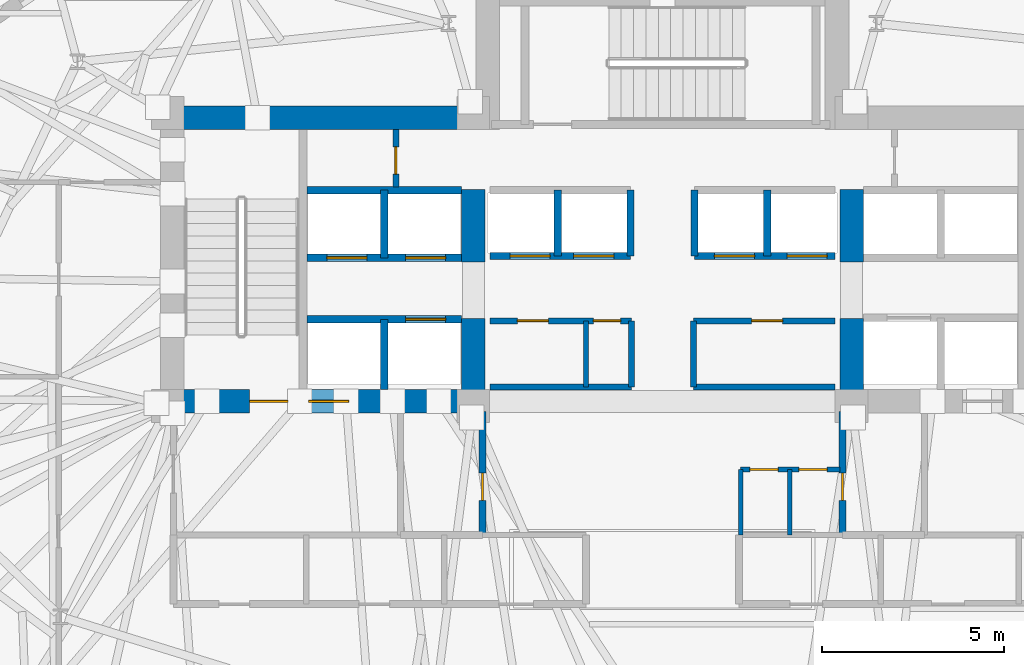
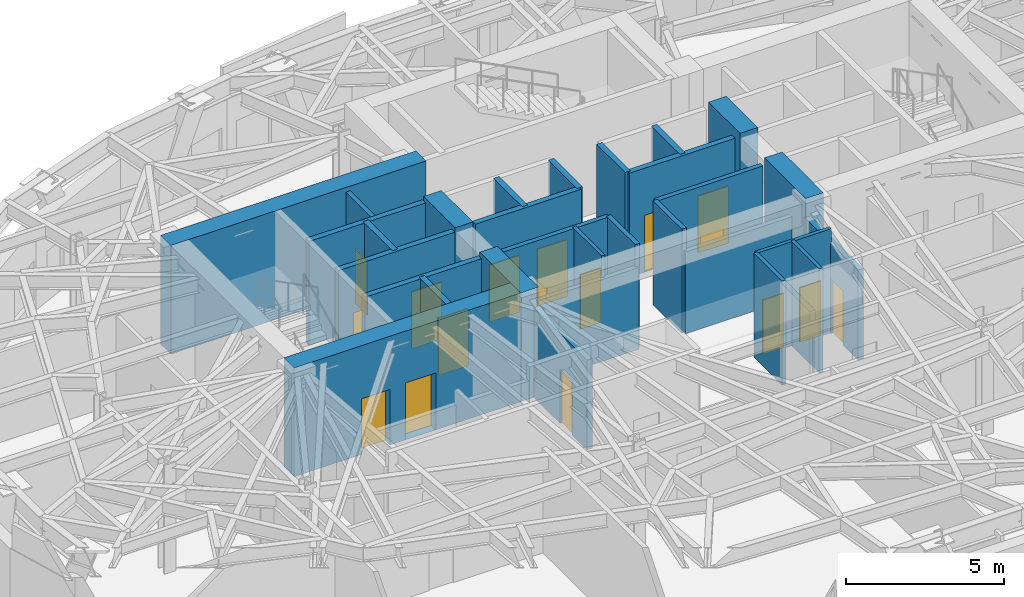
# One storey, part 9 of 16: 30 walls, 17 doors, 17 openings.
"""IFC4 building model written with IfcOpenShell, lengths in metres."""

from ifc_helpers import new_model, si_unit, direction, frame, frame_2d, origin, place, context, subcontext, project, spatial, rectangle, extrude, material, layer, layer_set, type_object, element, fill, save


model = new_model("IFC4")

# Units and contexts
model_context = context("Model", 3, precision=1e-05, world=origin(), true_north=direction((0.0, 1.0)))
body_context = subcontext(model_context, "Body", "Model", "MODEL_VIEW")
ifc_project = project(units=[si_unit("LENGTHUNIT", "METRE"), si_unit("AREAUNIT", "SQUARE_METRE"), si_unit("VOLUMEUNIT", "CUBIC_METRE"), si_unit("PLANEANGLEUNIT", "RADIAN"), si_unit("MASSUNIT", "GRAM", prefix="KILO")], contexts=[model_context])

# Site, building, storey
site_placement = place(None, origin())
site = spatial("IfcSite", under=ifc_project, at=site_placement, CompositionType="ELEMENT")
building_placement = place(site_placement, origin())
building = spatial("IfcBuilding", under=site, at=building_placement, Name="Keldmark Tower", CompositionType="ELEMENT")
storey_placement = place(building_placement, frame((0.0, 0.0, 139.60009765625)))
storey = spatial("IfcBuildingStorey", under=building, at=storey_placement, Name="L37", CompositionType="ELEMENT", Elevation=139.60009765625)

# Wall, openings, doors
ifc_material_1 = material(Name="Acoustic Gypsum Board Interior Partition", Category="gypsum")
ifc_layer_1 = layer(ifc_material_1, 0.1298828125)
ifc_layer_set_1 = layer_set([ifc_layer_1], Name="Acoustic Gypsum Board Interior Partition")
wall_type_1 = type_object("IfcWallType", Name="Interior Partition 130 mm", PredefinedType="PARTITIONING", material=ifc_layer_set_1)
wall_1_placement = place(storey_placement, frame((2.14990234375, -0.35009765625, 0.0), z_axis=(0.0, 0.0, 1.0), x_axis=(1.0, 0.0, 0.0)))
wall_1 = element("IfcWall", 1, at=wall_1_placement, inside=storey, type_object=wall_type_1, Name="L37 Interior Partition 130 mm CSC-E-N", PredefinedType="PARTITIONING", context=body_context, shape_type="SweptSolid", body=[
    extrude(rectangle(XDim=2.72998046875, YDim=0.1298828125, at=frame_2d((1.364990234375, 0.0))), origin(), (0.0, 0.0, 1.0), 4.02001953125),
])
opening_1_placement = place(wall_1_placement, frame((0.25, 0.0, 0.0)))
opening_1 = element("IfcOpeningElement", 2, at=opening_1_placement, cuts=wall_1, Name="Opening D-CL078", PredefinedType="OPENING", context=body_context, shape_type="SweptSolid", body=[
    extrude(rectangle(XDim=0.780029296875, YDim=2.10009765625, at=frame_2d((0.39013671875, 1.050048828125))), frame((0.0, 0.074951171875, 0.0), z_axis=(0.0, -1.0, 0.0), x_axis=(1.0, 0.0, 0.0)), (0.0, 0.0, 1.0), 0.14990234375),
])
opening_2_placement = place(wall_1_placement, frame((1.60009765625, 0.0, 0.0)))
opening_2 = element("IfcOpeningElement", 3, at=opening_2_placement, cuts=wall_1, Name="Opening D-CL078", PredefinedType="OPENING", context=body_context, shape_type="SweptSolid", body=[
    extrude(rectangle(XDim=0.780029296875, YDim=2.10009765625, at=frame_2d((0.39013671875, 1.050048828125))), frame((0.0, 0.074951171875, 0.0), z_axis=(0.0, -1.0, 0.0), x_axis=(1.0, 0.0, 0.0)), (0.0, 0.0, 1.0), 0.14990234375),
])
ifc_material_2 = material(Name="Flush Utility Closet Timber Door", Category="wood")
door_type_1 = type_object("IfcDoorType", Name="Closet Door 780x2100", OperationType="NOTDEFINED", PredefinedType="DOOR", material=ifc_material_2)
door_1_placement = place(opening_1_placement, origin())
door_1 = element("IfcDoor", 4, at=door_1_placement, inside=storey, type_object=door_type_1, Name="L37 Closet Door 780x2100 D-CSCE1-L37", OperationType="SINGLE_SWING_LEFT", OverallHeight=2.10009765625, OverallWidth=0.780029296875, PredefinedType="DOOR", context=body_context, shape_type="SweptSolid", body=[
    extrude(rectangle(XDim=0.780029296875, YDim=2.10009765625, at=frame_2d((0.39013671875, 1.050048828125))), frame((0.0, 0.02490234375, 0.0), z_axis=(0.0, -1.0, 0.0), x_axis=(1.0, 0.0, 0.0)), (0.0, 0.0, 1.0), 0.050048828125),
])
fill(opening_1, door_1)
door_2_placement = place(opening_2_placement, origin())
door_2 = element("IfcDoor", 5, at=door_2_placement, inside=storey, type_object=door_type_1, Name="L37 Closet Door 780x2100 D-CSCE2-L37", OperationType="SINGLE_SWING_RIGHT", OverallHeight=2.10009765625, OverallWidth=0.780029296875, PredefinedType="DOOR", context=body_context, shape_type="SweptSolid", body=[
    extrude(rectangle(XDim=0.780029296875, YDim=2.10009765625, at=frame_2d((0.39013671875, 1.050048828125))), frame((0.0, 0.02490234375, 0.0), z_axis=(0.0, -1.0, 0.0), x_axis=(1.0, 0.0, 0.0)), (0.0, 0.0, 1.0), 0.050048828125),
])
fill(opening_2, door_2)

# Walls
for number, where, z_axis, x_axis, name in (
    (6, (2.14990234375, -2.14990234375, 0.0), (0.0, 0.0, 1.0), (0.0, 1.0, 0.0), "L37 Interior Partition 130 mm CSC-E-W"),
    (7, (3.5, -2.14990234375, 0.0), (0.0, 0.0, 1.0), (0.0, 1.0, 0.0), "L37 Interior Partition 130 mm CSC-E-M"),
):
    element("IfcWall", number, at=place(storey_placement, frame(where, z_axis=z_axis, x_axis=x_axis)), inside=storey, type_object=wall_type_1, Name=name, PredefinedType="PARTITIONING", context=body_context, shape_type="SweptSolid", body=[
        extrude(rectangle(XDim=1.7998046875, YDim=0.1298828125, at=frame_2d((0.89990234375, 0.0))), origin(), (0.0, 0.0, 1.0), 4.02001953125),
    ])
wall_2_placement = place(storey_placement, frame((-2.10009765625, 1.919921875, 0.0), z_axis=(0.0, 0.0, 1.0), x_axis=(0.0, 1.0, 0.0)))
element("IfcWall", 8, at=wall_2_placement, inside=storey, type_object=wall_type_1, Name="L37 Interior Partition 130 mm REC-LW-M", PredefinedType="PARTITIONING", context=body_context, shape_type="SweptSolid", body=[
    extrude(rectangle(XDim=1.820068359375, YDim=0.1298828125, at=frame_2d((0.91015625, 0.0))), origin(), (0.0, 0.0, 1.0), 4.02001953125),
])
ifc_material_3 = material(Name="Type X Fire-Rated Gypsum Partition Assembly", Category="gypsum")
ifc_layer_2 = layer(ifc_material_3, 0.1650390625)
ifc_layer_set_2 = layer_set([ifc_layer_2], Name="Type X Fire-Rated Gypsum Partition Assembly")
wall_type_2 = type_object("IfcWallType", Name="Rated Partition 165 mm", PredefinedType="PARTITIONING", material=ifc_layer_set_2)
wall_3_placement = place(storey_placement, frame((-4.739990234375, 1.919921875, 0.0), z_axis=(0.0, 0.0, 1.0), x_axis=(1.0, 0.0, 0.0)))
element("IfcWall", 9, at=wall_3_placement, inside=storey, type_object=wall_type_2, Name="L37 Rated Partition 165 mm REC-LW-S", PredefinedType="PARTITIONING", context=body_context, shape_type="SweptSolid", body=[
    extrude(rectangle(XDim=3.889892578125, YDim=0.1650390625, at=frame_2d((1.94482421875, 0.0))), origin(), (0.0, 0.0, 1.0), 3.159912109375),
])

# Wall, openings, doors
wall_4_placement = place(storey_placement, frame((-4.739990234375, 3.739990234375, 0.0), z_axis=(0.0, 0.0, 1.0), x_axis=(1.0, 0.0, 0.0)))
wall_4 = element("IfcWall", 10, at=wall_4_placement, inside=storey, type_object=wall_type_2, Name="L37 Rated Partition 165 mm REC-LW-N", PredefinedType="PARTITIONING", context=body_context, shape_type="SweptSolid", body=[
    extrude(rectangle(XDim=3.889892578125, YDim=0.1650390625, at=frame_2d((1.94482421875, 0.0))), origin(), (0.0, 0.0, 1.0), 4.02001953125),
])
opening_3_placement = place(wall_4_placement, frame((0.75, 0.0, 0.0)))
opening_3 = element("IfcOpeningElement", 11, at=opening_3_placement, cuts=wall_4, Name="Opening D-SV085", PredefinedType="OPENING", context=body_context, shape_type="SweptSolid", body=[
    extrude(rectangle(XDim=0.85009765625, YDim=2.10009765625, at=frame_2d((0.425048828125, 1.050048828125))), frame((0.0, 0.092529296875, 0.0), z_axis=(0.0, -1.0, 0.0), x_axis=(1.0, 0.0, 0.0)), (0.0, 0.0, 1.0), 0.18505859375),
])
opening_4_placement = place(wall_4_placement, frame((2.840087890625, 0.0, 0.0)))
opening_4 = element("IfcOpeningElement", 12, at=opening_4_placement, cuts=wall_4, Name="Opening D-RS075", PredefinedType="OPENING", context=body_context, shape_type="SweptSolid", body=[
    extrude(rectangle(XDim=0.75, YDim=2.10009765625, at=frame_2d((0.375, 1.050048828125))), frame((0.0, 0.092529296875, 0.0), z_axis=(0.0, -1.0, 0.0), x_axis=(1.0, 0.0, 0.0)), (0.0, 0.0, 1.0), 0.18505859375),
])
ifc_material_4 = material(Name="Galvanized Fire-Rated Access Leaf", Category="metal")
door_type_2 = type_object("IfcDoorType", Name="Riser Access Door 750x2100", OperationType="NOTDEFINED", PredefinedType="DOOR", material=ifc_material_4)
door_3_placement = place(opening_4_placement, origin())
door_3 = element("IfcDoor", 13, at=door_3_placement, inside=storey, type_object=door_type_2, Name="L37 Riser Access Door 750x2100 D-RECLW2-L37", OperationType="SINGLE_SWING_RIGHT", OverallHeight=2.10009765625, OverallWidth=0.75, PredefinedType="DOOR", context=body_context, shape_type="SweptSolid", body=[
    extrude(rectangle(XDim=0.75, YDim=2.10009765625, at=frame_2d((0.375, 1.050048828125))), frame((0.0, 0.02490234375, 0.0), z_axis=(0.0, -1.0, 0.0), x_axis=(1.0, 0.0, 0.0)), (0.0, 0.0, 1.0), 0.050048828125),
])
fill(opening_4, door_3)
ifc_material_5 = material(Name="Painted Hollow Metal Door Assembly", Category="metal")
door_type_3 = type_object("IfcDoorType", Name="Service Door 850x2100", OperationType="NOTDEFINED", PredefinedType="DOOR", material=ifc_material_5)
door_4_placement = place(opening_3_placement, origin())
door_4 = element("IfcDoor", 14, at=door_4_placement, inside=storey, type_object=door_type_3, Name="L37 Service Door 850x2100 D-RECLW1-L37", OperationType="SINGLE_SWING_LEFT", OverallHeight=2.10009765625, OverallWidth=0.85009765625, PredefinedType="DOOR", context=body_context, shape_type="SweptSolid", body=[
    extrude(rectangle(XDim=0.85009765625, YDim=2.10009765625, at=frame_2d((0.425048828125, 1.050048828125))), frame((0.0, 0.02490234375, 0.0), z_axis=(0.0, -1.0, 0.0), x_axis=(1.0, 0.0, 0.0)), (0.0, 0.0, 1.0), 0.050048828125),
])
fill(opening_3, door_4)

# Walls
wall_5_placement = place(storey_placement, frame((-0.85009765625, 1.919921875, 0.0), z_axis=(0.0, 0.0, 1.0), x_axis=(0.0, 1.0, 0.0)))
element("IfcWall", 15, at=wall_5_placement, inside=storey, type_object=wall_type_2, Name="L37 Rated Partition 165 mm REC-LW-E", PredefinedType="PARTITIONING", context=body_context, shape_type="SweptSolid", body=[
    extrude(rectangle(XDim=1.820068359375, YDim=0.1650390625, at=frame_2d((0.91015625, 0.0))), origin(), (0.0, 0.0, 1.0), 4.02001953125),
])
wall_6_placement = place(storey_placement, frame((0.85009765625, 1.919921875, 0.0), z_axis=(0.0, 0.0, 1.0), x_axis=(1.0, 0.0, 0.0)))
element("IfcWall", 16, at=wall_6_placement, inside=storey, type_object=wall_type_2, Name="L37 Rated Partition 165 mm REC-LE-S", PredefinedType="PARTITIONING", context=body_context, shape_type="SweptSolid", body=[
    extrude(rectangle(XDim=3.889892578125, YDim=0.1650390625, at=frame_2d((1.94482421875, 0.0))), origin(), (0.0, 0.0, 1.0), 3.159912109375),
])

# Wall, opening, door
wall_7_placement = place(storey_placement, frame((0.85009765625, 3.739990234375, 0.0), z_axis=(0.0, 0.0, 1.0), x_axis=(1.0, 0.0, 0.0)))
wall_7 = element("IfcWall", 17, at=wall_7_placement, inside=storey, type_object=wall_type_2, Name="L37 Rated Partition 165 mm REC-LE-N", PredefinedType="PARTITIONING", context=body_context, shape_type="SweptSolid", body=[
    extrude(rectangle(XDim=3.889892578125, YDim=0.1650390625, at=frame_2d((1.94482421875, 0.0))), origin(), (0.0, 0.0, 1.0), 4.02001953125),
])
opening_5_placement = place(wall_7_placement, frame((1.60009765625, 0.0, 0.0)))
opening_5 = element("IfcOpeningElement", 18, at=opening_5_placement, cuts=wall_7, Name="Opening D-SV085", PredefinedType="OPENING", context=body_context, shape_type="SweptSolid", body=[
    extrude(rectangle(XDim=0.85009765625, YDim=2.10009765625, at=frame_2d((0.425048828125, 1.050048828125))), frame((0.0, 0.092529296875, 0.0), z_axis=(0.0, -1.0, 0.0), x_axis=(1.0, 0.0, 0.0)), (0.0, 0.0, 1.0), 0.18505859375),
])
door_5_placement = place(opening_5_placement, origin())
door_5 = element("IfcDoor", 19, at=door_5_placement, inside=storey, type_object=door_type_3, Name="L37 Service Door 850x2100 D-RECLE1-L37", OperationType="SINGLE_SWING_LEFT", OverallHeight=2.10009765625, OverallWidth=0.85009765625, PredefinedType="DOOR", context=body_context, shape_type="SweptSolid", body=[
    extrude(rectangle(XDim=0.85009765625, YDim=2.10009765625, at=frame_2d((0.425048828125, 1.050048828125))), frame((0.0, 0.02490234375, 0.0), z_axis=(0.0, -1.0, 0.0), x_axis=(1.0, 0.0, 0.0)), (0.0, 0.0, 1.0), 0.050048828125),
])
fill(opening_5, door_5)

# Wall
wall_8_placement = place(storey_placement, frame((0.85009765625, 1.919921875, 0.0), z_axis=(0.0, 0.0, 1.0), x_axis=(0.0, 1.0, 0.0)))
element("IfcWall", 20, at=wall_8_placement, inside=storey, type_object=wall_type_2, Name="L37 Rated Partition 165 mm REC-LE-W", PredefinedType="PARTITIONING", context=body_context, shape_type="SweptSolid", body=[
    extrude(rectangle(XDim=1.820068359375, YDim=0.1650390625, at=frame_2d((0.91015625, 0.0))), origin(), (0.0, 0.0, 1.0), 4.02001953125),
])

# Wall, opening, door
wall_9_placement = place(storey_placement, frame((-7.330078125, 7.419921875, 0.0), z_axis=(0.0, 0.0, 1.0), x_axis=(0.0, 1.0, 0.0)))
wall_9 = element("IfcWall", 21, at=wall_9_placement, inside=storey, type_object=wall_type_2, Name="L37 Rated Partition 165 mm CS-NW-E", PredefinedType="PARTITIONING", context=body_context, shape_type="SweptSolid", body=[
    extrude(rectangle(XDim=1.580078125, YDim=0.1650390625, at=frame_2d((0.7900390625, 0.0))), origin(), (0.0, 0.0, 1.0), 4.02001953125),
])
opening_6_placement = place(wall_9_placement, frame((0.35009765625, 0.0, 0.0)))
opening_6 = element("IfcOpeningElement", 22, at=opening_6_placement, cuts=wall_9, Name="Opening D-RS075", PredefinedType="OPENING", context=body_context, shape_type="SweptSolid", body=[
    extrude(rectangle(XDim=0.75, YDim=2.10009765625, at=frame_2d((0.375, 1.050048828125))), frame((0.0, 0.092529296875, 0.0), z_axis=(0.0, -1.0, 0.0), x_axis=(1.0, 0.0, 0.0)), (0.0, 0.0, 1.0), 0.18505859375),
])
door_6_placement = place(opening_6_placement, origin())
door_6 = element("IfcDoor", 23, at=door_6_placement, inside=storey, type_object=door_type_2, Name="L37 Riser Access Door 750x2100 D-CSNW1-L37", OperationType="SINGLE_SWING_RIGHT", OverallHeight=2.10009765625, OverallWidth=0.75, PredefinedType="DOOR", context=body_context, shape_type="SweptSolid", body=[
    extrude(rectangle(XDim=0.75, YDim=2.10009765625, at=frame_2d((0.375, 1.050048828125))), frame((0.0, 0.02490234375, 0.0), z_axis=(0.0, -1.0, 0.0), x_axis=(1.0, 0.0, 0.0)), (0.0, 0.0, 1.0), 0.050048828125),
])
fill(opening_6, door_6)

ifc_material_6 = material(Name="Fire-Resistant Type X Gypsum Shaftliner Coreboard", Category="gypsum")
ifc_layer_3 = layer(ifc_material_6, 0.199951171875)
ifc_layer_set_3 = layer_set([ifc_layer_3], Name="Fire-Resistant Type X Gypsum Shaftliner Coreboard")
wall_type_3 = type_object("IfcWallType", Name="Shaft Wall 200 mm", PredefinedType="SOLIDWALL", material=ifc_layer_set_3)
wall_10_placement = place(storey_placement, frame((-4.949951171875, -2.14990234375, 0.0), z_axis=(0.0, 0.0, 1.0), x_axis=(0.0, 1.0, 0.0)))
wall_10 = element("IfcWall", 24, at=wall_10_placement, inside=storey, type_object=wall_type_3, Name="L37 Shaft Wall 200 mm RIS-SW-E", PredefinedType="SOLIDWALL", context=body_context, shape_type="SweptSolid", body=[
    extrude(rectangle(XDim=3.39990234375, YDim=0.199951171875, at=frame_2d((1.699951171875, 0.0))), origin(), (0.0, 0.0, 1.0), 3.472900390625),
])
opening_7_placement = place(wall_10_placement, frame((0.949951171875, 0.0, 0.0)))
opening_7 = element("IfcOpeningElement", 25, at=opening_7_placement, cuts=wall_10, Name="Opening D-RS075", PredefinedType="OPENING", context=body_context, shape_type="SweptSolid", body=[
    extrude(rectangle(XDim=0.75, YDim=2.10009765625, at=frame_2d((0.375, 1.050048828125))), frame((0.0, 0.10986328125, 0.0), z_axis=(0.0, -1.0, 0.0), x_axis=(1.0, 0.0, 0.0)), (0.0, 0.0, 1.0), 0.219970703125),
])
door_7_placement = place(opening_7_placement, origin())
door_7 = element("IfcDoor", 26, at=door_7_placement, inside=storey, type_object=door_type_2, Name="L37 Riser Access Door 750x2100 D-RISSW-L37", OperationType="SINGLE_SWING_RIGHT", OverallHeight=2.10009765625, OverallWidth=0.75, PredefinedType="DOOR", context=body_context, shape_type="SweptSolid", body=[
    extrude(rectangle(XDim=0.75, YDim=2.10009765625, at=frame_2d((0.375, 1.050048828125))), frame((0.0, 0.02490234375, 0.0), z_axis=(0.0, -1.0, 0.0), x_axis=(1.0, 0.0, 0.0)), (0.0, 0.0, 1.0), 0.050048828125),
])
fill(opening_7, door_7)

wall_11_placement = place(storey_placement, frame((4.949951171875, -2.14990234375, 0.0), z_axis=(0.0, 0.0, 1.0), x_axis=(0.0, 1.0, 0.0)))
wall_11 = element("IfcWall", 27, at=wall_11_placement, inside=storey, type_object=wall_type_3, Name="L37 Shaft Wall 200 mm RIS-SE-W", PredefinedType="SOLIDWALL", context=body_context, shape_type="SweptSolid", body=[
    extrude(rectangle(XDim=3.39990234375, YDim=0.199951171875, at=frame_2d((1.699951171875, 0.0))), origin(), (0.0, 0.0, 1.0), 3.472900390625),
])
opening_8_placement = place(wall_11_placement, frame((0.949951171875, 0.0, 0.0)))
opening_8 = element("IfcOpeningElement", 28, at=opening_8_placement, cuts=wall_11, Name="Opening D-RS075", PredefinedType="OPENING", context=body_context, shape_type="SweptSolid", body=[
    extrude(rectangle(XDim=0.75, YDim=2.10009765625, at=frame_2d((0.375, 1.050048828125))), frame((0.0, 0.10986328125, 0.0), z_axis=(0.0, -1.0, 0.0), x_axis=(1.0, 0.0, 0.0)), (0.0, 0.0, 1.0), 0.219970703125),
])
door_8_placement = place(opening_8_placement, origin())
door_8 = element("IfcDoor", 29, at=door_8_placement, inside=storey, type_object=door_type_2, Name="L37 Riser Access Door 750x2100 D-RISSE-L37", OperationType="SINGLE_SWING_LEFT", OverallHeight=2.10009765625, OverallWidth=0.75, PredefinedType="DOOR", context=body_context, shape_type="SweptSolid", body=[
    extrude(rectangle(XDim=0.75, YDim=2.10009765625, at=frame_2d((0.375, 1.050048828125))), frame((0.0, 0.02490234375, 0.0), z_axis=(0.0, -1.0, 0.0), x_axis=(1.0, 0.0, 0.0)), (0.0, 0.0, 1.0), 0.050048828125),
])
fill(opening_8, door_8)

wall_12_placement = place(storey_placement, frame((-9.780029296875, 3.780029296875, 0.0), z_axis=(0.0, 0.0, 1.0), x_axis=(1.0, 0.0, 0.0)))
wall_12 = element("IfcWall", 30, at=wall_12_placement, inside=storey, type_object=wall_type_3, Name="L37 Shaft Wall 200 mm HW-W-S", PredefinedType="SOLIDWALL", context=body_context, shape_type="SweptSolid", body=[
    extrude(rectangle(XDim=4.255126953125, YDim=0.199951171875, at=frame_2d((2.12744140625, 0.0))), origin(), (0.0, 0.0, 1.0), 4.02001953125),
])
opening_9_placement = place(wall_12_placement, frame((2.719970703125, 0.0, 0.0)))
opening_9 = element("IfcOpeningElement", 31, at=opening_9_placement, cuts=wall_12, Name="Opening LD-110", PredefinedType="OPENING", context=body_context, shape_type="SweptSolid", body=[
    extrude(rectangle(XDim=1.10009765625, YDim=2.199951171875, at=frame_2d((0.550048828125, 1.10009765625))), frame((0.0, 0.10986328125, 0.0), z_axis=(0.0, -1.0, 0.0), x_axis=(1.0, 0.0, 0.0)), (0.0, 0.0, 1.0), 0.219970703125),
])
ifc_material_7 = material(Name="Brushed Bronze Hoistway Sliding Leaf", Category="metal")
door_type_4 = type_object("IfcDoorType", Name="Lift Landing Sliding Door 1100x2200", OperationType="SLIDING_TO_LEFT", PredefinedType="DOOR", material=ifc_material_7)
door_9_placement = place(opening_9_placement, origin())
door_9 = element("IfcDoor", 32, at=door_9_placement, inside=storey, type_object=door_type_4, Name="L37 Lift Landing Sliding Door 1100x2200 LD-EL-H3-L37", OperationType="SLIDING_TO_LEFT", OverallHeight=2.199951171875, OverallWidth=1.10009765625, PredefinedType="DOOR", context=body_context, shape_type="SweptSolid", body=[
    extrude(rectangle(XDim=1.10009765625, YDim=2.199951171875, at=frame_2d((0.550048828125, 1.10009765625))), frame((0.0, 0.02490234375, 0.0), z_axis=(0.0, -1.0, 0.0), x_axis=(1.0, 0.0, 0.0)), (0.0, 0.0, 1.0), 0.050048828125),
])
fill(opening_9, door_9)

# Wall
wall_13_placement = place(storey_placement, frame((-7.64990234375, 1.85009765625, 0.0), z_axis=(0.0, 0.0, 1.0), x_axis=(0.0, 1.0, 0.0)))
element("IfcWall", 33, at=wall_13_placement, inside=storey, type_object=wall_type_3, Name="L37 Shaft Wall 200 mm HW-W-M", PredefinedType="SOLIDWALL", context=body_context, shape_type="SweptSolid", body=[
    extrude(rectangle(XDim=1.929931640625, YDim=0.199951171875, at=frame_2d((0.96484375, 0.0))), origin(), (0.0, 0.0, 1.0), 4.02001953125),
])

# Wall, openings, doors
wall_14_placement = place(storey_placement, frame((-9.780029296875, 5.469970703125, 0.0), z_axis=(0.0, 0.0, 1.0), x_axis=(1.0, 0.0, 0.0)))
wall_14 = element("IfcWall", 34, at=wall_14_placement, inside=storey, type_object=wall_type_3, Name="L37 Shaft Wall 200 mm HW-W-N", PredefinedType="SOLIDWALL", context=body_context, shape_type="SweptSolid", body=[
    extrude(rectangle(XDim=4.255126953125, YDim=0.199951171875, at=frame_2d((2.12744140625, 0.0))), origin(), (0.0, 0.0, 1.0), 4.02001953125),
])
opening_10_placement = place(wall_14_placement, frame((0.550048828125, 0.0, 0.0)))
opening_10 = element("IfcOpeningElement", 35, at=opening_10_placement, cuts=wall_14, Name="Opening LD-110", PredefinedType="OPENING", context=body_context, shape_type="SweptSolid", body=[
    extrude(rectangle(XDim=1.10009765625, YDim=2.199951171875, at=frame_2d((0.550048828125, 1.10009765625))), frame((0.0, 0.10986328125, 0.0), z_axis=(0.0, -1.0, 0.0), x_axis=(1.0, 0.0, 0.0)), (0.0, 0.0, 1.0), 0.219970703125),
])
opening_11_placement = place(wall_14_placement, frame((2.719970703125, 0.0, 0.0)))
opening_11 = element("IfcOpeningElement", 36, at=opening_11_placement, cuts=wall_14, Name="Opening LD-110", PredefinedType="OPENING", context=body_context, shape_type="SweptSolid", body=[
    extrude(rectangle(XDim=1.10009765625, YDim=2.199951171875, at=frame_2d((0.550048828125, 1.10009765625))), frame((0.0, 0.10986328125, 0.0), z_axis=(0.0, -1.0, 0.0), x_axis=(1.0, 0.0, 0.0)), (0.0, 0.0, 1.0), 0.219970703125),
])
door_10_placement = place(opening_10_placement, origin())
door_10 = element("IfcDoor", 37, at=door_10_placement, inside=storey, type_object=door_type_4, Name="L37 Lift Landing Sliding Door 1100x2200 LD-EL-H1-L37", OperationType="SLIDING_TO_LEFT", OverallHeight=2.199951171875, OverallWidth=1.10009765625, PredefinedType="DOOR", context=body_context, shape_type="SweptSolid", body=[
    extrude(rectangle(XDim=1.10009765625, YDim=2.199951171875, at=frame_2d((0.550048828125, 1.10009765625))), frame((0.0, 0.02490234375, 0.0), z_axis=(0.0, -1.0, 0.0), x_axis=(1.0, 0.0, 0.0)), (0.0, 0.0, 1.0), 0.050048828125),
])
fill(opening_10, door_10)
door_11_placement = place(opening_11_placement, origin())
door_11 = element("IfcDoor", 38, at=door_11_placement, inside=storey, type_object=door_type_4, Name="L37 Lift Landing Sliding Door 1100x2200 LD-EL-H2-L37", OperationType="SLIDING_TO_LEFT", OverallHeight=2.199951171875, OverallWidth=1.10009765625, PredefinedType="DOOR", context=body_context, shape_type="SweptSolid", body=[
    extrude(rectangle(XDim=1.10009765625, YDim=2.199951171875, at=frame_2d((0.550048828125, 1.10009765625))), frame((0.0, 0.02490234375, 0.0), z_axis=(0.0, -1.0, 0.0), x_axis=(1.0, 0.0, 0.0)), (0.0, 0.0, 1.0), 0.050048828125),
])
fill(opening_11, door_11)

# Walls
wall_15_placement = place(storey_placement, frame((-9.780029296875, 7.330078125, 0.0), z_axis=(0.0, 0.0, 1.0), x_axis=(1.0, 0.0, 0.0)))
element("IfcWall", 39, at=wall_15_placement, inside=storey, type_object=wall_type_3, Name="L37 Shaft Wall 200 mm HW-W-TOP", PredefinedType="SOLIDWALL", context=body_context, shape_type="SweptSolid", body=[
    extrude(rectangle(XDim=4.255126953125, YDim=0.199951171875, at=frame_2d((2.12744140625, 0.0))), origin(), (0.0, 0.0, 1.0), 4.02001953125),
])
wall_16_placement = place(storey_placement, frame((-7.64990234375, 5.469970703125, 0.0), z_axis=(0.0, 0.0, 1.0), x_axis=(0.0, 1.0, 0.0)))
element("IfcWall", 40, at=wall_16_placement, inside=storey, type_object=wall_type_3, Name="L37 Shaft Wall 200 mm HW-W-NM", PredefinedType="SOLIDWALL", context=body_context, shape_type="SweptSolid", body=[
    extrude(rectangle(XDim=1.860107421875, YDim=0.199951171875, at=frame_2d((0.93017578125, 0.0))), origin(), (0.0, 0.0, 1.0), 4.02001953125),
])

# Wall, openings, doors
wall_17_placement = place(storey_placement, frame((-4.739990234375, 5.52001953125, 0.0), z_axis=(0.0, 0.0, 1.0), x_axis=(1.0, 0.0, 0.0)))
wall_17 = element("IfcWall", 41, at=wall_17_placement, inside=storey, type_object=wall_type_3, Name="L37 Shaft Wall 200 mm MID-S-W", PredefinedType="SOLIDWALL", context=body_context, shape_type="SweptSolid", body=[
    extrude(rectangle(XDim=3.860107421875, YDim=0.199951171875, at=frame_2d((1.93017578125, 0.0))), origin(), (0.0, 0.0, 1.0), 4.02001953125),
])
opening_12_placement = place(wall_17_placement, frame((0.550048828125, 0.0, 0.0)))
opening_12 = element("IfcOpeningElement", 42, at=opening_12_placement, cuts=wall_17, Name="Opening LD-110", PredefinedType="OPENING", context=body_context, shape_type="SweptSolid", body=[
    extrude(rectangle(XDim=1.10009765625, YDim=2.199951171875, at=frame_2d((0.550048828125, 1.10009765625))), frame((0.0, 0.10986328125, 0.0), z_axis=(0.0, -1.0, 0.0), x_axis=(1.0, 0.0, 0.0)), (0.0, 0.0, 1.0), 0.219970703125),
])
opening_13_placement = place(wall_17_placement, frame((2.300048828125, 0.0, 0.0)))
opening_13 = element("IfcOpeningElement", 43, at=opening_13_placement, cuts=wall_17, Name="Opening LD-110", PredefinedType="OPENING", context=body_context, shape_type="SweptSolid", body=[
    extrude(rectangle(XDim=1.10009765625, YDim=2.199951171875, at=frame_2d((0.550048828125, 1.10009765625))), frame((0.0, 0.10986328125, 0.0), z_axis=(0.0, -1.0, 0.0), x_axis=(1.0, 0.0, 0.0)), (0.0, 0.0, 1.0), 0.219970703125),
])
door_12_placement = place(opening_12_placement, origin())
door_12 = element("IfcDoor", 44, at=door_12_placement, inside=storey, type_object=door_type_4, Name="L37 Lift Landing Sliding Door 1100x2200 LD-EL-M1-L37", OperationType="SLIDING_TO_LEFT", OverallHeight=2.199951171875, OverallWidth=1.10009765625, PredefinedType="DOOR", context=body_context, shape_type="SweptSolid", body=[
    extrude(rectangle(XDim=1.10009765625, YDim=2.199951171875, at=frame_2d((0.550048828125, 1.10009765625))), frame((0.0, 0.02490234375, 0.0), z_axis=(0.0, -1.0, 0.0), x_axis=(1.0, 0.0, 0.0)), (0.0, 0.0, 1.0), 0.050048828125),
])
fill(opening_12, door_12)
door_13_placement = place(opening_13_placement, origin())
door_13 = element("IfcDoor", 45, at=door_13_placement, inside=storey, type_object=door_type_4, Name="L37 Lift Landing Sliding Door 1100x2200 LD-EL-M2-L37", OperationType="SLIDING_TO_LEFT", OverallHeight=2.199951171875, OverallWidth=1.10009765625, PredefinedType="DOOR", context=body_context, shape_type="SweptSolid", body=[
    extrude(rectangle(XDim=1.10009765625, YDim=2.199951171875, at=frame_2d((0.550048828125, 1.10009765625))), frame((0.0, 0.02490234375, 0.0), z_axis=(0.0, -1.0, 0.0), x_axis=(1.0, 0.0, 0.0)), (0.0, 0.0, 1.0), 0.050048828125),
])
fill(opening_13, door_13)

wall_18_placement = place(storey_placement, frame((0.8798828125, 5.52001953125, 0.0), z_axis=(0.0, 0.0, 1.0), x_axis=(1.0, 0.0, 0.0)))
wall_18 = element("IfcWall", 46, at=wall_18_placement, inside=storey, type_object=wall_type_3, Name="L37 Shaft Wall 200 mm MID-S-E", PredefinedType="SOLIDWALL", context=body_context, shape_type="SweptSolid", body=[
    extrude(rectangle(XDim=3.860107421875, YDim=0.199951171875, at=frame_2d((1.93017578125, 0.0))), origin(), (0.0, 0.0, 1.0), 4.02001953125),
])
opening_14_placement = place(wall_18_placement, frame((0.550048828125, 0.0, 0.0)))
opening_14 = element("IfcOpeningElement", 47, at=opening_14_placement, cuts=wall_18, Name="Opening LD-110", PredefinedType="OPENING", context=body_context, shape_type="SweptSolid", body=[
    extrude(rectangle(XDim=1.10009765625, YDim=2.199951171875, at=frame_2d((0.550048828125, 1.10009765625))), frame((0.0, 0.10986328125, 0.0), z_axis=(0.0, -1.0, 0.0), x_axis=(1.0, 0.0, 0.0)), (0.0, 0.0, 1.0), 0.219970703125),
])
opening_15_placement = place(wall_18_placement, frame((2.550048828125, 0.0, 0.0)))
opening_15 = element("IfcOpeningElement", 48, at=opening_15_placement, cuts=wall_18, Name="Opening LD-110", PredefinedType="OPENING", context=body_context, shape_type="SweptSolid", body=[
    extrude(rectangle(XDim=1.10009765625, YDim=2.199951171875, at=frame_2d((0.550048828125, 1.10009765625))), frame((0.0, 0.10986328125, 0.0), z_axis=(0.0, -1.0, 0.0), x_axis=(1.0, 0.0, 0.0)), (0.0, 0.0, 1.0), 0.219970703125),
])
door_14_placement = place(opening_14_placement, origin())
door_14 = element("IfcDoor", 49, at=door_14_placement, inside=storey, type_object=door_type_4, Name="L37 Lift Landing Sliding Door 1100x2200 LD-EL-M3-L37", OperationType="SLIDING_TO_LEFT", OverallHeight=2.199951171875, OverallWidth=1.10009765625, PredefinedType="DOOR", context=body_context, shape_type="SweptSolid", body=[
    extrude(rectangle(XDim=1.10009765625, YDim=2.199951171875, at=frame_2d((0.550048828125, 1.10009765625))), frame((0.0, 0.02490234375, 0.0), z_axis=(0.0, -1.0, 0.0), x_axis=(1.0, 0.0, 0.0)), (0.0, 0.0, 1.0), 0.050048828125),
])
fill(opening_14, door_14)
door_15_placement = place(opening_15_placement, origin())
door_15 = element("IfcDoor", 50, at=door_15_placement, inside=storey, type_object=door_type_4, Name="L37 Lift Landing Sliding Door 1100x2200 LD-EL-M4-L37", OperationType="SLIDING_TO_LEFT", OverallHeight=2.199951171875, OverallWidth=1.10009765625, PredefinedType="DOOR", context=body_context, shape_type="SweptSolid", body=[
    extrude(rectangle(XDim=1.10009765625, YDim=2.199951171875, at=frame_2d((0.550048828125, 1.10009765625))), frame((0.0, 0.02490234375, 0.0), z_axis=(0.0, -1.0, 0.0), x_axis=(1.0, 0.0, 0.0)), (0.0, 0.0, 1.0), 0.050048828125),
])
fill(opening_15, door_15)

# Walls
for number, where, z_axis, x_axis, name in (
    (51, (-2.8798828125, 5.52001953125, 0.0), (0.0, 0.0, 1.0), (0.0, 1.0, 0.0), "L37 Shaft Wall 200 mm MID-M-W"),
    (52, (2.8798828125, 5.52001953125, 0.0), (0.0, 0.0, 1.0), (0.0, 1.0, 0.0), "L37 Shaft Wall 200 mm MID-M-E"),
    (53, (-0.8798828125, 5.52001953125, 0.0), (0.0, 0.0, 1.0), (0.0, 1.0, 0.0), "L37 Shaft Wall 200 mm MID-C-W"),
    (54, (0.8798828125, 5.52001953125, 0.0), (0.0, 0.0, 1.0), (0.0, 1.0, 0.0), "L37 Shaft Wall 200 mm MID-C-E"),
):
    element("IfcWall", number, at=place(storey_placement, frame(where, z_axis=z_axis, x_axis=x_axis)), inside=storey, type_object=wall_type_3, Name=name, PredefinedType="SOLIDWALL", context=body_context, shape_type="SweptSolid", body=[
        extrude(rectangle(XDim=1.81005859375, YDim=0.199951171875, at=frame_2d((0.905029296875, 0.0))), origin(), (0.0, 0.0, 1.0), 4.02001953125),
    ])
ifc_material_8 = material(Name="Concrete C50/60", Category="concrete")
ifc_layer_4 = layer(ifc_material_8, 0.64990234375)
ifc_layer_set_4 = layer_set([ifc_layer_4], Name="Concrete C50/60")
wall_type_4 = type_object("IfcWallType", Name="Upper-Mid Core Shear Wall 650 mm", PredefinedType="SHEAR", material=ifc_layer_set_4)
wall_19_placement = place(storey_placement, frame((-13.800048828125, 9.324951171875, 0.0), z_axis=(0.0, 0.0, 1.0), x_axis=(1.0, 0.0, 0.0)))
element("IfcWall", 55, at=wall_19_placement, inside=storey, type_object=wall_type_4, Name="L37 West Core North Shear Wall", PredefinedType="SHEAR", context=body_context, shape_type="SweptSolid", body=[
    extrude(rectangle(XDim=9.324951171875, YDim=0.64990234375, at=frame_2d((4.66259765625, 0.0))), origin(), (0.0, 0.0, 1.0), 4.199951171875),
])

# Wall, openings, doors
wall_20_placement = place(storey_placement, frame((-4.875, 1.52490234375, 0.0), z_axis=(0.0, 0.0, 1.0), x_axis=(-1.0, 0.0, 0.0)))
wall_20 = element("IfcWall", 56, at=wall_20_placement, inside=storey, type_object=wall_type_4, Name="L37 West Core South Shear Wall", PredefinedType="SHEAR", context=body_context, shape_type="SweptSolid", body=[
    extrude(rectangle(XDim=8.925048828125, YDim=0.64990234375, at=frame_2d((4.46240234375, 0.0))), origin(), (0.0, 0.0, 1.0), 4.199951171875),
])
opening_16_placement = place(wall_20_placement, frame((5.425048828125, 0.0, 0.0)))
opening_16 = element("IfcOpeningElement", 57, at=opening_16_placement, cuts=wall_20, Name="Opening D-ST105", PredefinedType="OPENING", context=body_context, shape_type="SweptSolid", body=[
    extrude(rectangle(XDim=1.050048828125, YDim=2.14990234375, at=frame_2d((0.52490234375, 1.074951171875))), frame((0.0, 0.3349609375, 0.0), z_axis=(0.0, -1.0, 0.0), x_axis=(1.0, 0.0, 0.0)), (0.0, 0.0, 1.0), 0.669921875),
])
opening_17_placement = place(wall_20_placement, frame((3.7548828125, 0.0, 0.0)))
opening_17 = element("IfcOpeningElement", 58, at=opening_17_placement, cuts=wall_20, Name="Opening LD-110", PredefinedType="OPENING", context=body_context, shape_type="SweptSolid", body=[
    extrude(rectangle(XDim=1.10009765625, YDim=2.199951171875, at=frame_2d((0.550048828125, 1.10009765625))), frame((0.0, 0.3349609375, 0.0), z_axis=(0.0, -1.0, 0.0), x_axis=(1.0, 0.0, 0.0)), (0.0, 0.0, 1.0), 0.669921875),
])
door_16_placement = place(opening_17_placement, origin())
door_16 = element("IfcDoor", 59, at=door_16_placement, inside=storey, type_object=door_type_4, Name="L37 Lift Landing Sliding Door 1100x2200 LD-EL-FS1-L37", OperationType="SLIDING_TO_LEFT", OverallHeight=2.199951171875, OverallWidth=1.10009765625, PredefinedType="DOOR", context=body_context, shape_type="SweptSolid", body=[
    extrude(rectangle(XDim=1.10009765625, YDim=2.199951171875, at=frame_2d((0.550048828125, 1.10009765625))), frame((0.0, 0.02490234375, 0.0), z_axis=(0.0, -1.0, 0.0), x_axis=(1.0, 0.0, 0.0)), (0.0, 0.0, 1.0), 0.050048828125),
])
fill(opening_17, door_16)
ifc_material_9 = material(Name="Hollow Metal Fire-Rated Door Assembly", Category="metal")
door_type_5 = type_object("IfcDoorType", Name="Stair Fire Door 1050x2150", OperationType="NOTDEFINED", PredefinedType="DOOR", material=ifc_material_9)
door_17_placement = place(opening_16_placement, origin())
door_17 = element("IfcDoor", 60, at=door_17_placement, inside=storey, type_object=door_type_5, Name="L37 Stair Fire Door 1050x2150 D-ST1-L37", OperationType="SINGLE_SWING_RIGHT", OverallHeight=2.14990234375, OverallWidth=1.050048828125, PredefinedType="DOOR", context=body_context, shape_type="SweptSolid", body=[
    extrude(rectangle(XDim=1.050048828125, YDim=2.14990234375, at=frame_2d((0.52490234375, 1.074951171875))), frame((0.0, 0.02490234375, 0.0), z_axis=(0.0, -1.0, 0.0), x_axis=(1.0, 0.0, 0.0)), (0.0, 0.0, 1.0), 0.050048828125),
])
fill(opening_16, door_17)

# Walls
wall_21_placement = place(storey_placement, frame((-5.199951171875, 1.199951171875, 0.0), z_axis=(0.0, 0.0, 1.0), x_axis=(0.0, 1.0, 0.0)))
element("IfcWall", 61, at=wall_21_placement, inside=storey, type_object=wall_type_4, Name="L37 West Core Inner Shear Pier South", PredefinedType="SHEAR", context=body_context, shape_type="SweptSolid", body=[
    extrude(rectangle(XDim=2.60009765625, YDim=0.64990234375, at=frame_2d((1.300048828125, 0.0))), origin(), (0.0, 0.0, 1.0), 4.199951171875),
])
wall_22_placement = place(storey_placement, frame((-5.199951171875, 5.35009765625, 0.0), z_axis=(0.0, 0.0, 1.0), x_axis=(0.0, 1.0, 0.0)))
element("IfcWall", 62, at=wall_22_placement, inside=storey, type_object=wall_type_4, Name="L37 West Core Inner Shear Pier North", PredefinedType="SHEAR", context=body_context, shape_type="SweptSolid", body=[
    extrude(rectangle(XDim=2.0, YDim=0.64990234375, at=frame_2d((1.0, 0.0))), origin(), (0.0, 0.0, 1.0), 4.199951171875),
])
wall_23_placement = place(storey_placement, frame((5.199951171875, 1.199951171875, 0.0), z_axis=(0.0, 0.0, 1.0), x_axis=(0.0, 1.0, 0.0)))
element("IfcWall", 63, at=wall_23_placement, inside=storey, type_object=wall_type_4, Name="L37 East Core Inner Shear Pier South", PredefinedType="SHEAR", context=body_context, shape_type="SweptSolid", body=[
    extrude(rectangle(XDim=2.60009765625, YDim=0.64990234375, at=frame_2d((1.300048828125, 0.0))), origin(), (0.0, 0.0, 1.0), 4.199951171875),
])
wall_24_placement = place(storey_placement, frame((5.199951171875, 5.35009765625, 0.0), z_axis=(0.0, 0.0, 1.0), x_axis=(0.0, 1.0, 0.0)))
element("IfcWall", 64, at=wall_24_placement, inside=storey, type_object=wall_type_4, Name="L37 East Core Inner Shear Pier North", PredefinedType="SHEAR", context=body_context, shape_type="SweptSolid", body=[
    extrude(rectangle(XDim=2.0, YDim=0.64990234375, at=frame_2d((1.0, 0.0))), origin(), (0.0, 0.0, 1.0), 4.199951171875),
])

save(model, "model.ifc")
